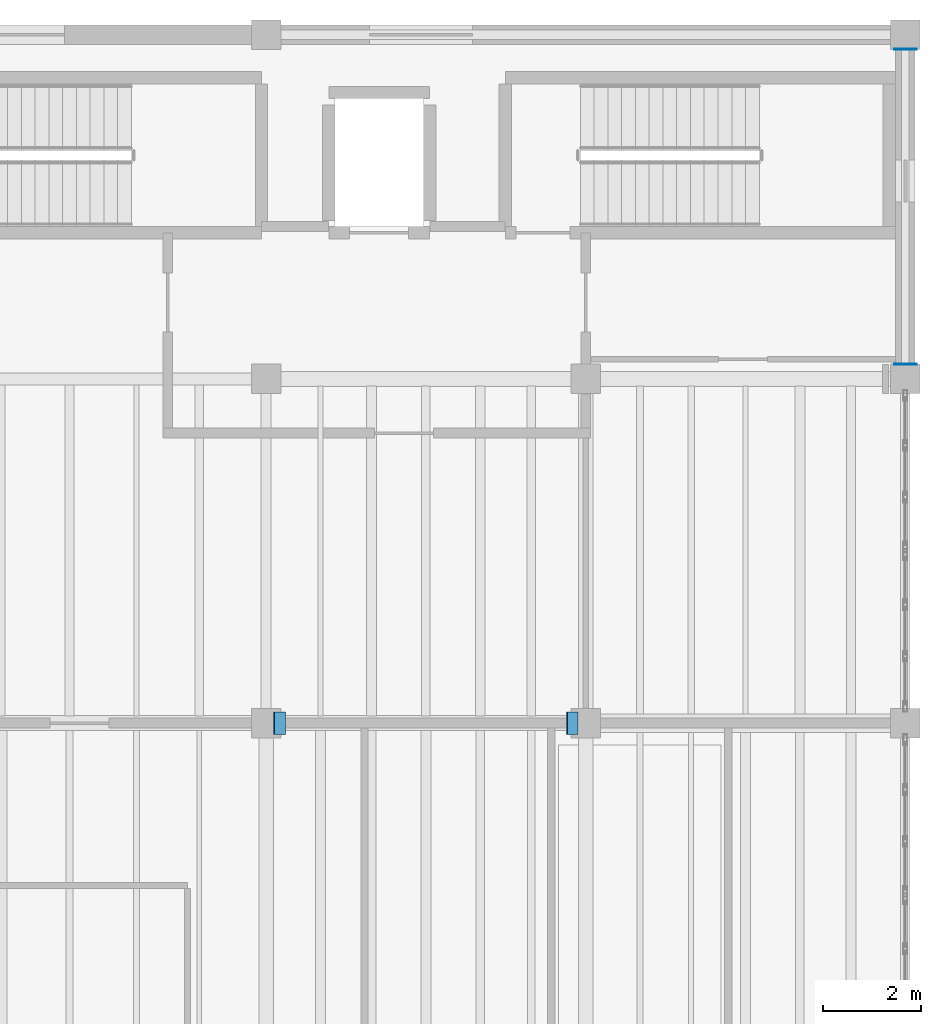
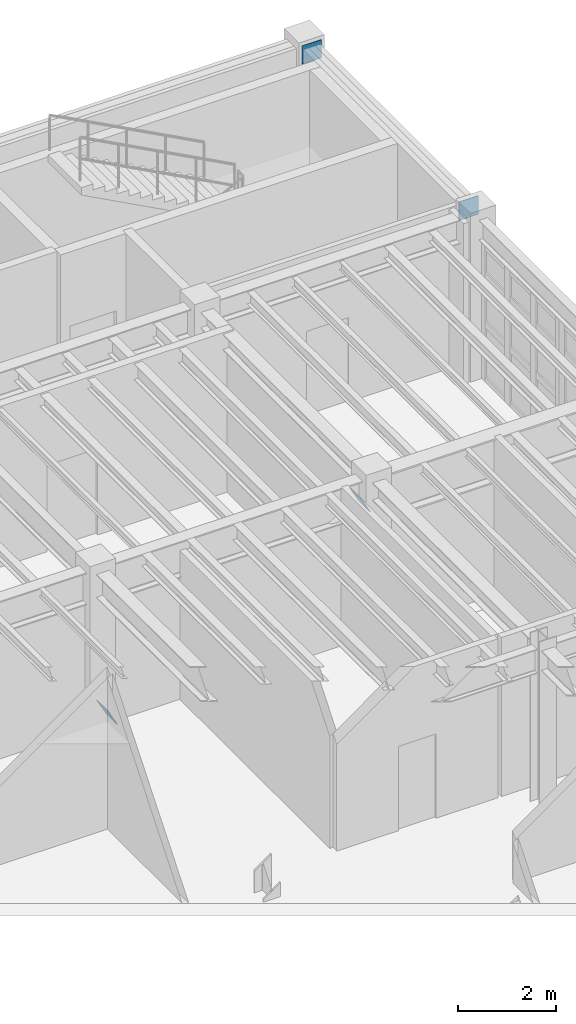
# One storey, part 57 of 78: 4 plates.
"""IFC4 building model written with IfcOpenShell, lengths in metres."""

from ifc_helpers import new_model, si_unit, direction, frame, origin, origin_2d, place, context, subcontext, project, spatial, rectangle, extrude, material, material_profile, profile_set, type_object, element, save


model = new_model("IFC4")

# Units and contexts
model_context = context("Model", 3, precision=1e-05, world=origin(), true_north=direction((0.0, 1.0)))
body_context = subcontext(model_context, "Body", "Model", "MODEL_VIEW")
ifc_project = project(units=[si_unit("LENGTHUNIT", "METRE"), si_unit("AREAUNIT", "SQUARE_METRE"), si_unit("VOLUMEUNIT", "CUBIC_METRE"), si_unit("PLANEANGLEUNIT", "RADIAN"), si_unit("MASSUNIT", "GRAM", prefix="KILO"), si_unit("THERMODYNAMICTEMPERATUREUNIT", "KELVIN"), si_unit("POWERUNIT", "WATT")], contexts=[model_context])

# Site, building, storey
site_placement = place(None, origin())
site = spatial("IfcSite", under=ifc_project, at=site_placement, CompositionType="ELEMENT")
building_placement = place(site_placement, origin())
building = spatial("IfcBuilding", under=site, at=building_placement, Name="Zhenchuan Central Fire Station", CompositionType="ELEMENT")
storey_placement = place(building_placement, frame((0.0, 0.0, 5.85009765625)))
storey = spatial("IfcBuildingStorey", under=building, at=storey_placement, Name="L02", CompositionType="ELEMENT", Elevation=5.85009765625)

# Plates
ifc_material = material(Name="Steel Q355B", Category="steel")
ifc_material_profile_1 = material_profile(ifc_material, rectangle(XDim=0.4599609375, YDim=0.4599609375, at=origin_2d()), Name="PL 460x460x28")
ifc_profile_set_1 = profile_set([ifc_material_profile_1], Name="Steel Q355B")
plate_type_1 = type_object("IfcPlateType", Name="PL-GUS28", PredefinedType="SHEET", material=ifc_profile_set_1)
for number, where, z_axis, x_axis, name in (
    (1, (161.0, 49.783935546875, 3.875), (0.0, 1.0, 0.0), (-1.0, 0.0, 0.0), "L03 Girder NS 0346 end cap plate A"),
    (2, (161.0, 56.196044921875, 3.875), (0.0, 1.0, 0.0), (-1.0, 0.0, 0.0), "L03 Girder NS 0346 end cap plate B"),
):
    element("IfcPlate", number, at=place(storey_placement, frame(where, z_axis=z_axis, x_axis=x_axis)), inside=storey, type_object=plate_type_1, Name=name, PredefinedType="SHEET", context=body_context, shape_type="SweptSolid", body=[
        extrude(rectangle(XDim=0.4599609375, YDim=0.4599609375, at=origin_2d()), origin(), (0.0, 0.0, 1.0), 0.02001953125),
    ])
ifc_material_profile_2 = material_profile(ifc_material, rectangle(XDim=0.4599609375, YDim=0.4599609375, at=origin_2d()), Name="PL 460x460x28")
ifc_profile_set_2 = profile_set([ifc_material_profile_2], Name="Steel Q355B")
plate_type_2 = type_object("IfcPlateType", Name="PL-GUS28-INT", PredefinedType="SHEET", material=ifc_profile_set_2)
for number, where, z_axis, x_axis, name in (
    (3, (148.263916015625, 42.5, 0.1923828125), (0.879291966537, 0.0, 0.476283148541), (0.0, 1.0, 0.0), "Interior Frame Lateral Brace 07 end cap plate A"),
    (4, (154.218505859375, 42.5, 3.39794921875), (0.879291966537, 0.0, 0.476283148541), (0.0, 1.0, 0.0), "Interior Frame Lateral Brace 07 end cap plate B"),
):
    element("IfcPlate", number, at=place(storey_placement, frame(where, z_axis=z_axis, x_axis=x_axis)), inside=storey, type_object=plate_type_2, Name=name, PredefinedType="SHEET", context=body_context, shape_type="SweptSolid", body=[
        extrude(rectangle(XDim=0.4599609375, YDim=0.4599609375, at=origin_2d()), origin(), (0.0, 0.0, 1.0), 0.02001953125),
    ])

save(model, "model.ifc")
